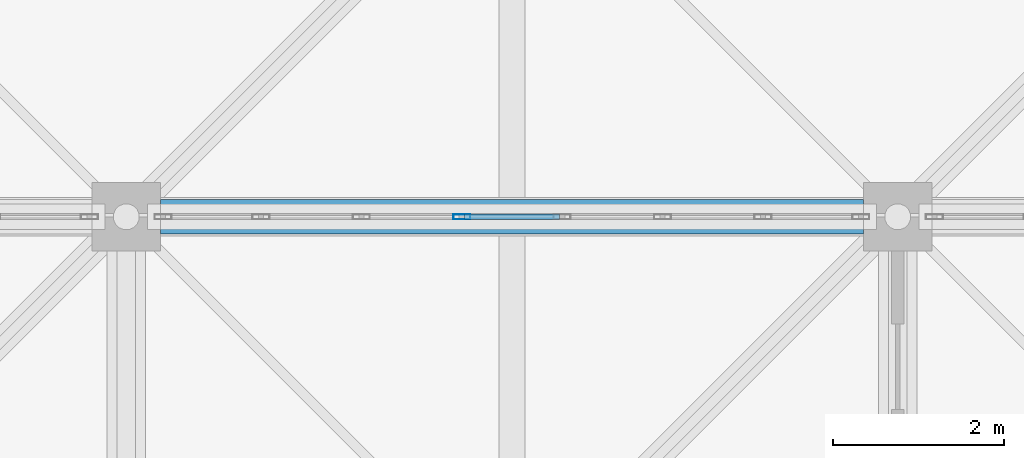
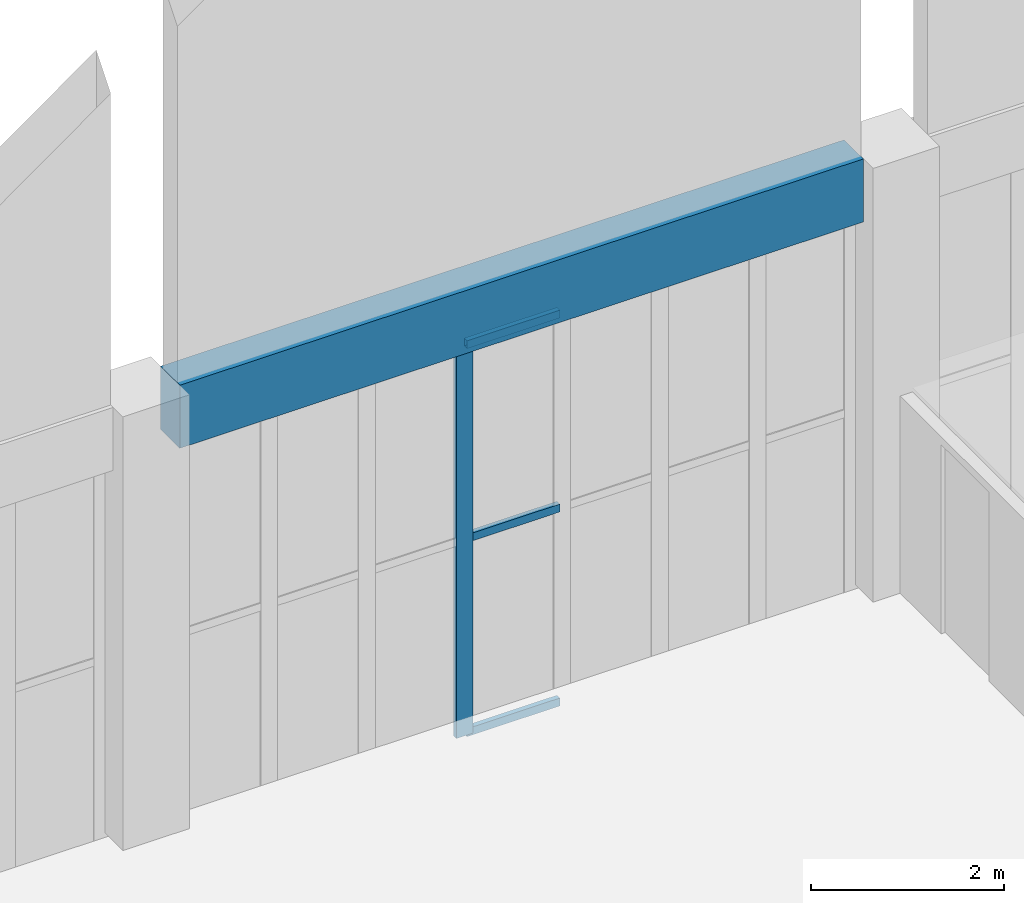
# One storey, part 131 of 437: 4 members, 1 beam, 1 element without a shape of its own.
"""IFC4 building model written with IfcOpenShell, lengths in metres."""

from ifc_helpers import new_model, si_unit, direction, frame, origin, origin_2d, place, context, subcontext, project, spatial, rectangle, hollow_rectangle, extrude, material, layer, layer_set, material_profile, profile_set, type_object, element, aggregate, save


model = new_model("IFC4")

# Units and contexts
model_context = context("Model", 3, precision=1e-05, world=origin(), true_north=direction((0.0, 1.0)))
body_context = subcontext(model_context, "Body", "Model", "MODEL_VIEW")
ifc_project = project(units=[si_unit("LENGTHUNIT", "METRE"), si_unit("AREAUNIT", "SQUARE_METRE"), si_unit("VOLUMEUNIT", "CUBIC_METRE"), si_unit("PLANEANGLEUNIT", "RADIAN"), si_unit("MASSUNIT", "GRAM", prefix="KILO")], contexts=[model_context])

# Site, building, storey
site_placement = place(None, origin())
site = spatial("IfcSite", under=ifc_project, at=site_placement, CompositionType="ELEMENT")
building_placement = place(site_placement, origin())
building = spatial("IfcBuilding", under=site, at=building_placement, Name="Opaline Strait Convention Centre", CompositionType="ELEMENT")
storey_placement = place(building_placement, frame((0.0, 0.0, 11.5)))
storey = spatial("IfcBuildingStorey", under=building, at=storey_placement, Name="L02", CompositionType="ELEMENT", Elevation=11.5)

# Curtain wall, members
ifc_material_1 = material(Name="Aluminium framed double glazing", Category="aluminium")
ifc_layer = layer(ifc_material_1, 0.199951171875)
ifc_layer_set = layer_set([ifc_layer], Name="Aluminium framed double glazing")
curtain_wall_type = type_object("IfcCurtainWallType", Name="Curtain wall 1250", PredefinedType="NOTDEFINED", material=ifc_layer_set)
curtain_wall_placement = place(storey_placement, origin())
curtain_wall = element("IfcCurtainWall", 1, at=curtain_wall_placement, inside=storey, type_object=curtain_wall_type, Name="Curtain wall N-45-L02", PredefinedType="NOTDEFINED")
ifc_material_2 = material(Name="Aluminium alloy 6063", Category="aluminium")
ifc_material_profile_1 = material_profile(ifc_material_2, hollow_rectangle(XDim=0.06005859375, YDim=0.199951171875, WallThickness=0.00390625, at=origin_2d()), Name="MULLION 60x200x4")
ifc_profile_set_1 = profile_set([ifc_material_profile_1], Name="Aluminium alloy 6063")
member_type_1 = type_object("IfcMemberType", Name="Curtain wall mullion 60 x 200", PredefinedType="MULLION", material=ifc_profile_set_1)
member_1_placement = place(storey_placement, frame((48.914306640625, 180.0, -0.280029296875), z_axis=(0.0, 0.0, 1.0), x_axis=(0.0, 1.0, 0.0)))
member_1 = element("IfcMember", 2, at=member_1_placement, type_object=member_type_1, Name="PCW mullion 4", PredefinedType="MULLION", context=body_context, shape_type="SweptSolid", body=[
    extrude(hollow_rectangle(XDim=0.06005859375, YDim=0.199951171875, WallThickness=0.00390625, at=origin_2d()), origin(), (0.0, 0.0, 1.0), 4.97998046875),
])
ifc_material_profile_2 = material_profile(ifc_material_2, hollow_rectangle(XDim=0.06005859375, YDim=0.10009765625, WallThickness=0.0029296875, at=origin_2d()), Name="TRANSOM 60x100x3")
ifc_profile_set_2 = profile_set([ifc_material_profile_2], Name="Aluminium alloy 6063")
member_type_2 = type_object("IfcMemberType", Name="Curtain wall transom 60 x 100", PredefinedType="USERDEFINED", material=ifc_profile_set_2)
member_2_placement = place(storey_placement, frame((48.9443359375, 180.0, -0.25), z_axis=(1.0, 0.0, 0.0), x_axis=(0.0, 1.0, 0.0)))
member_2 = element("IfcMember", 3, at=member_2_placement, type_object=member_type_2, Name="PCW transom 4.1", ObjectType="TRANSOM", PredefinedType="USERDEFINED", context=body_context, shape_type="SweptSolid", body=[
    extrude(hollow_rectangle(XDim=0.06005859375, YDim=0.10009765625, WallThickness=0.0029296875, at=origin_2d()), origin(), (0.0, 0.0, 1.0), 1.111328125),
])
member_3_placement = place(storey_placement, frame((48.9443359375, 180.0, 2.2099609375), z_axis=(1.0, 0.0, 0.0), x_axis=(0.0, 1.0, 0.0)))
member_3 = element("IfcMember", 4, at=member_3_placement, type_object=member_type_2, Name="PCW transom 4.2", ObjectType="TRANSOM", PredefinedType="USERDEFINED", context=body_context, shape_type="SweptSolid", body=[
    extrude(hollow_rectangle(XDim=0.06005859375, YDim=0.10009765625, WallThickness=0.0029296875, at=origin_2d()), origin(), (0.0, 0.0, 1.0), 1.111328125),
])
member_4_placement = place(storey_placement, frame((48.9443359375, 180.0, 4.669921875), z_axis=(1.0, 0.0, 0.0), x_axis=(0.0, 1.0, 0.0)))
member_4 = element("IfcMember", 5, at=member_4_placement, type_object=member_type_2, Name="PCW transom 4.3", ObjectType="TRANSOM", PredefinedType="USERDEFINED", context=body_context, shape_type="SweptSolid", body=[
    extrude(hollow_rectangle(XDim=0.06005859375, YDim=0.10009765625, WallThickness=0.0029296875, at=origin_2d()), origin(), (0.0, 0.0, 1.0), 1.111328125),
])
aggregate(curtain_wall, [member_1, member_2, member_3, member_4])

# Beam
ifc_material_3 = material(Name="Concrete C35", Category="concrete")
ifc_material_profile_3 = material_profile(ifc_material_3, rectangle(XDim=0.39990234375, YDim=0.800048828125, at=origin_2d()), Name="RC 400x800")
ifc_profile_set_3 = profile_set([ifc_material_profile_3], Name="Concrete C35")
beam_type = type_object("IfcBeamType", Name="RC ground beam 400x800 C35", PredefinedType="BEAM", material=ifc_profile_set_3)
beam_placement = place(storey_placement, frame((45.39990234375, 180.0, 5.10009765625), z_axis=(1.0, 0.0, 0.0), x_axis=(0.0, 1.0, 0.0)))
element("IfcBeam", 6, at=beam_placement, inside=storey, type_object=beam_type, Name="PGB1 end wall head beam 5", PredefinedType="BEAM", context=body_context, shape_type="SweptSolid", body=[
    extrude(rectangle(XDim=0.39990234375, YDim=0.800048828125, at=origin_2d()), origin(), (0.0, 0.0, 1.0), 8.2001953125),
])

save(model, "model.ifc")
